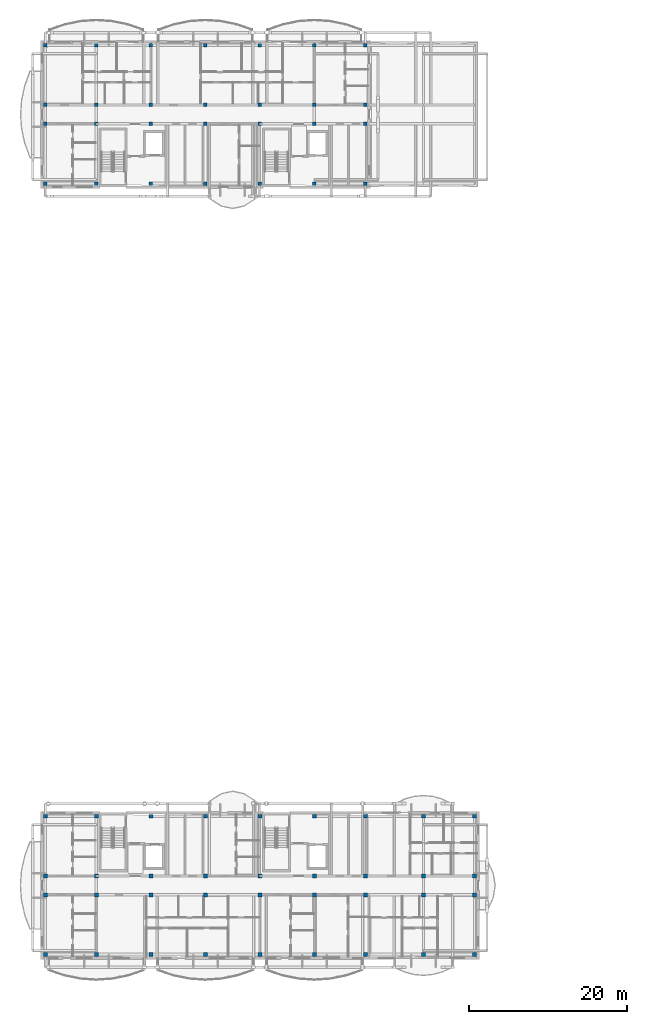
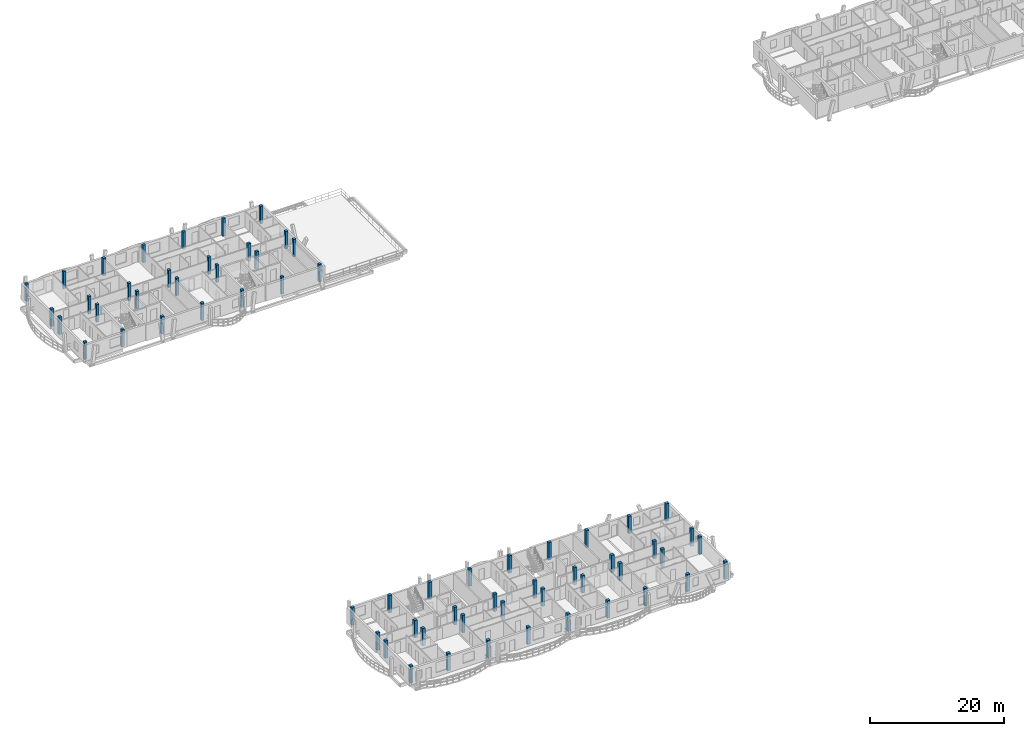
# One storey, part 1 of 42: 64 columns.
"""IFC4 building model written with IfcOpenShell, lengths in metres."""

import ifcopenshell
import ifcopenshell.guid

model = None  # the IFC model being written
_history = None  # IfcOwnerHistory: only IFC2X3 demands one
_inside = {}  # id of a spatial element -> (the spatial element, [elements in it])
_under = {}  # id of a project, library or spatial element -> (it, [spatial elements below it])
_declared = {}  # id of a project -> (the project, [libraries it declares])
_typed = {}  # id of a type object -> (the type object, [elements of that type])
_made_of = {}  # id of a material, layer set ... -> (it, [elements and type objects made of it])


def new_model(schema):
    """Start an empty IFC model of exactly this schema.

    Asked for "IFC4X3", IfcOpenShell would pick the latest addendum, in which some entities
    have other attributes; the version numbers below select the first issue.
    IFC2X3 requires an IfcOwnerHistory on every rooted entity: one is made here for all.
    """
    global model, _history
    if schema == "IFC4X3":
        model = ifcopenshell.file(schema_version=(4, 3, 0, 0))
    else:
        model = ifcopenshell.file(schema=schema)
    _inside.clear()
    _under.clear()
    _declared.clear()
    _typed.clear()
    _made_of.clear()
    _history = None
    if model.schema == "IFC2X3":
        org = make("IfcOrganization", Name="unknown")
        user = make(
            "IfcPersonAndOrganization",
            ThePerson=make("IfcPerson", FamilyName="unknown"),
            TheOrganization=org,
        )
        app = make(
            "IfcApplication",
            ApplicationDeveloper=org,
            Version="unknown",
            ApplicationFullName="unknown",
            ApplicationIdentifier="unknown",
        )
        _history = make(
            "IfcOwnerHistory",
            OwningUser=user,
            OwningApplication=app,
            ChangeAction="ADDED",
            CreationDate=0,
        )
    return model


def make(cls, **values):
    """One entity of the class cls with the attributes given. An attribute that is None is left unset."""
    return model.create_entity(
        cls, **{name: value for name, value in values.items() if value is not None}
    )


def rooted(cls, **values):
    """An entity with a GlobalId (a new one), such as an element, a storey or a relation."""
    return make(cls, GlobalId=ifcopenshell.guid.new(), OwnerHistory=_history, **values)


def si_unit(unit_type, name, prefix=None):
    """IfcSIUnit, for example si_unit("LENGTHUNIT", "METRE", prefix="MILLI")."""
    return make("IfcSIUnit", UnitType=unit_type, Prefix=prefix, Name=name)


def assignment(units):
    """IfcUnitAssignment: the units of a project."""
    return None if units is None else make("IfcUnitAssignment", Units=units)


def point(xyz):
    """IfcCartesianPoint."""
    return None if xyz is None else make("IfcCartesianPoint", Coordinates=xyz)


def direction(xyz):
    """IfcDirection."""
    return None if xyz is None else make("IfcDirection", DirectionRatios=xyz)


def frame(location, z_axis=None, x_axis=None):
    """IfcAxis2Placement3D, a coordinate frame: its origin and axes. An axis left out is left unset."""
    return make(
        "IfcAxis2Placement3D",
        Location=point(location),
        Axis=direction(z_axis),
        RefDirection=direction(x_axis),
    )


def frame_2d(location, x_axis=None):
    """IfcAxis2Placement2D, a coordinate frame in the plane: its origin and x axis."""
    return make(
        "IfcAxis2Placement2D", Location=point(location), RefDirection=direction(x_axis)
    )


def origin():
    """The frame at (0, 0, 0) with its axes left unset."""
    return frame((0.0, 0.0, 0.0))


def origin_2d():
    """The frame at (0, 0) in the plane with its x axis left unset."""
    return frame_2d((0.0, 0.0))


def place(relative_to, where):
    """IfcLocalPlacement: puts the frame where relative to a parent placement (None: the world)."""
    return make(
        "IfcLocalPlacement", PlacementRelTo=relative_to, RelativePlacement=where
    )


def context(
    kind, dimensions, precision=None, world=None, true_north=None, identifier=None
):
    """IfcGeometricRepresentationContext, for example the 3D "Model" context."""
    return make(
        "IfcGeometricRepresentationContext",
        ContextIdentifier=identifier,
        ContextType=kind,
        CoordinateSpaceDimension=dimensions,
        Precision=precision,
        WorldCoordinateSystem=world,
        TrueNorth=true_north,
    )


def subcontext(parent, identifier, kind, view, scale=None):
    """IfcGeometricRepresentationSubContext, for example "Body" below "Model"."""
    return make(
        "IfcGeometricRepresentationSubContext",
        ContextIdentifier=identifier,
        ContextType=kind,
        ParentContext=parent,
        TargetScale=scale,
        TargetView=view,
    )


def project(units=None, contexts=None):
    """IfcProject with its units and contexts."""
    return rooted(
        "IfcProject",
        Name="project",
        RepresentationContexts=contexts,
        UnitsInContext=assignment(units),
    )


def spatial(cls, under=None, at=None, **own):
    """A site, building, storey or space (cls), placed at a placement, below another one or the project."""
    s = rooted(cls, ObjectPlacement=at, **own)
    if under is not None:
        _under.setdefault(under.id(), (under, []))[1].append(s)
    return s


def profile(cls, at=None, kind="AREA", **sizes):
    """A parametric profile (cls). Its sizes go by their IFC names, for example OverallWidth=200.0."""
    return make(cls, ProfileType=kind, Position=at, **sizes)


def rectangle(**sizes):
    """IfcRectangleProfileDef."""
    return profile("IfcRectangleProfileDef", **sizes)


def extrude(swept, where, along, depth):
    """IfcExtrudedAreaSolid: the profile swept, set in the frame where, extruded along a direction by depth."""
    return make(
        "IfcExtrudedAreaSolid",
        SweptArea=swept,
        Position=where,
        ExtrudedDirection=direction(along),
        Depth=depth,
    )


def shape(context_of_items, identifier, shape_type, items):
    """IfcShapeRepresentation: the items that make up one representation, for example the "Body"."""
    return make(
        "IfcShapeRepresentation",
        ContextOfItems=context_of_items,
        RepresentationIdentifier=identifier,
        RepresentationType=shape_type,
        Items=items,
    )


def material(Name=None, Category=None):
    """IfcMaterial."""
    return make("IfcMaterial", Name=Name, Category=Category)


def material_profile(
    of_material, cross_section, Name=None, Category=None, Priority=None
):
    """IfcMaterialProfile: a cross section and its material."""
    return make(
        "IfcMaterialProfile",
        Name=Name,
        Material=of_material,
        Profile=cross_section,
        Priority=Priority,
        Category=Category,
    )


def profile_set(profiles, Name=None, composite=None):
    """IfcMaterialProfileSet."""
    return make(
        "IfcMaterialProfileSet",
        Name=Name,
        MaterialProfiles=profiles,
        CompositeProfile=composite,
    )


def made_of(thing, what):
    """Note that an element or type object is made of a material, layer set ...; save() writes the relation."""
    if what is not None:
        _made_of.setdefault(what.id(), (what, []))[1].append(thing)
    return thing


def type_object(cls, material=None, **own):
    """A type object (cls), such as IfcWallType, which elements share."""
    return made_of(rooted(cls, **own), material)


def element(
    cls,
    number,
    at=None,
    inside=None,
    cuts=None,
    type_object=None,
    material=None,
    context=None,
    identifier="Body",
    shape_type=None,
    held_by="IfcProductDefinitionShape",
    body=None,
    shapes=None,
    **own,
):
    """One element of the class cls, such as IfcWall. Its Tag is "e" and its number.

    at: its placement. inside: the storey or other place that contains it. cuts: it is an
    opening in that element (IfcRelVoidsElement). A single representation is given by context,
    identifier, shape_type and body (its items); several are given by shapes. held_by: the class
    of the entity that holds the representations. save() writes the other relations.
    """
    e = rooted(cls, Tag="e%d" % number, ObjectPlacement=at, **own)
    if body is not None:
        shapes = [shape(context, identifier, shape_type, body)]
    if shapes is not None:
        e.Representation = make(held_by, Representations=shapes)
    if inside is not None:
        _inside.setdefault(inside.id(), (inside, []))[1].append(e)
    if cuts is not None:
        rooted(
            "IfcRelVoidsElement", RelatingBuildingElement=cuts, RelatedOpeningElement=e
        )
    if type_object is not None:
        _typed.setdefault(type_object.id(), (type_object, []))[1].append(e)
    return made_of(e, material)


def aggregate(whole, parts):
    """IfcRelAggregates: a whole, such as a stair, and the parts it consists of."""
    return rooted("IfcRelAggregates", RelatingObject=whole, RelatedObjects=parts)


def save(model, path):
    """Write the relations noted so far, then the file.

    IfcRelAggregates (storeys below a building ...), IfcRelContainedInSpatialStructure (elements
    in a storey), IfcRelDefinesByType, IfcRelAssociatesMaterial and IfcRelDeclares: one each for
    every whole, place, type object, material and project.
    """
    for whole, parts in _under.values():
        aggregate(whole, parts)
    for where, things in _inside.values():
        rooted(
            "IfcRelContainedInSpatialStructure",
            RelatedElements=things,
            RelatingStructure=where,
        )
    for kind, things in _typed.values():
        rooted("IfcRelDefinesByType", RelatedObjects=things, RelatingType=kind)
    for what, things in _made_of.values():
        rooted("IfcRelAssociatesMaterial", RelatedObjects=things, RelatingMaterial=what)
    for by, libraries in _declared.values():
        rooted("IfcRelDeclares", RelatingContext=by, RelatedDefinitions=libraries)
    model.write(path)


model = new_model("IFC4")

# Units and contexts
model_context = context("Model", 3, precision=1e-05, world=origin(), true_north=direction((0.0, 1.0)))
body_context = subcontext(model_context, "Body", "Model", "MODEL_VIEW")
ifc_project = project(units=[si_unit("LENGTHUNIT", "METRE"), si_unit("AREAUNIT", "SQUARE_METRE"), si_unit("VOLUMEUNIT", "CUBIC_METRE"), si_unit("PLANEANGLEUNIT", "RADIAN"), si_unit("MASSUNIT", "GRAM", prefix="KILO")], contexts=[model_context])

# Site, building, storey
site_placement = place(None, origin())
site = spatial("IfcSite", under=ifc_project, at=site_placement, CompositionType="ELEMENT")
building_placement = place(site_placement, origin())
building = spatial("IfcBuilding", under=site, at=building_placement, Name="Zavelmont Quarter", CompositionType="ELEMENT")
storey_placement = place(building_placement, frame((0.0, 0.0, 24.0)))
storey = spatial("IfcBuildingStorey", under=building, at=storey_placement, Name="L07", CompositionType="ELEMENT", Elevation=24.0)

# Columns
ifc_material_1 = material(Name="Concrete C40/50", Category="concrete")
ifc_material_profile_1 = material_profile(ifc_material_1, rectangle(XDim=0.5, YDim=0.5, at=origin_2d()), Name="RC500X500")
ifc_profile_set_1 = profile_set([ifc_material_profile_1], Name="Concrete C40/50")
column_type_1 = type_object("IfcColumnType", Name="CL03", PredefinedType="COLUMN", material=ifc_profile_set_1)
for number, where, z_axis, x_axis, name in (
    (1, (0.43994140625, 0.43994140625, 0.0), (0.0, 0.0, 1.0), (1.0, 0.0, 0.0), "L07 column CL03 at 1/A"),
    (2, (0.43994140625, 8.0, 0.0), (0.0, 0.0, 1.0), (1.0, 0.0, 0.0), "L07 column CL03 at 1/B"),
    (3, (0.43994140625, 10.39990234375, 0.0), (0.0, 0.0, 1.0), (1.0, 0.0, 0.0), "L07 column CL03 at 1/C"),
    (4, (0.43994140625, 17.9599609375, 0.0), (0.0, 0.0, 1.0), (1.0, 0.0, 0.0), "L07 column CL03 at 1/D"),
    (5, (6.89990234375, 0.43994140625, 0.0), (0.0, 0.0, 1.0), (1.0, 0.0, 0.0), "L07 column CL03 at 2/A"),
    (6, (6.89990234375, 8.0, 0.0), (0.0, 0.0, 1.0), (1.0, 0.0, 0.0), "L07 column CL03 at 2/B"),
    (7, (6.89990234375, 10.39990234375, 0.0), (0.0, 0.0, 1.0), (1.0, 0.0, 0.0), "L07 column CL03 at 2/C"),
    (8, (6.89990234375, 17.9599609375, 0.0), (0.0, 0.0, 1.0), (1.0, 0.0, 0.0), "L07 column CL03 at 2/D"),
    (9, (13.800048828125, 0.43994140625, 0.0), (0.0, 0.0, 1.0), (1.0, 0.0, 0.0), "L07 column CL03 at 3/A"),
    (10, (13.800048828125, 8.0, 0.0), (0.0, 0.0, 1.0), (1.0, 0.0, 0.0), "L07 column CL03 at 3/B"),
    (11, (13.800048828125, 10.39990234375, 0.0), (0.0, 0.0, 1.0), (1.0, 0.0, 0.0), "L07 column CL03 at 3/C"),
    (12, (13.800048828125, 17.9599609375, 0.0), (0.0, 0.0, 1.0), (1.0, 0.0, 0.0), "L07 column CL03 at 3/D"),
    (13, (20.699951171875, 0.43994140625, 0.0), (0.0, 0.0, 1.0), (1.0, 0.0, 0.0), "L07 column CL03 at 4/A"),
    (14, (20.699951171875, 8.0, 0.0), (0.0, 0.0, 1.0), (1.0, 0.0, 0.0), "L07 column CL03 at 4/B"),
    (15, (20.699951171875, 10.39990234375, 0.0), (0.0, 0.0, 1.0), (1.0, 0.0, 0.0), "L07 column CL03 at 4/C"),
    (16, (20.699951171875, 17.9599609375, 0.0), (0.0, 0.0, 1.0), (1.0, 0.0, 0.0), "L07 column CL03 at 4/D"),
    (17, (27.60009765625, 0.43994140625, 0.0), (0.0, 0.0, 1.0), (1.0, 0.0, 0.0), "L07 column CL03 at 5/A"),
    (18, (27.60009765625, 8.0, 0.0), (0.0, 0.0, 1.0), (1.0, 0.0, 0.0), "L07 column CL03 at 5/B"),
    (19, (27.60009765625, 10.39990234375, 0.0), (0.0, 0.0, 1.0), (1.0, 0.0, 0.0), "L07 column CL03 at 5/C"),
    (20, (27.60009765625, 17.9599609375, 0.0), (0.0, 0.0, 1.0), (1.0, 0.0, 0.0), "L07 column CL03 at 5/D"),
    (21, (34.5, 0.43994140625, 0.0), (0.0, 0.0, 1.0), (1.0, 0.0, 0.0), "L07 column CL03 at 6/A"),
    (22, (34.5, 8.0, 0.0), (0.0, 0.0, 1.0), (1.0, 0.0, 0.0), "L07 column CL03 at 6/B"),
    (23, (34.5, 10.39990234375, 0.0), (0.0, 0.0, 1.0), (1.0, 0.0, 0.0), "L07 column CL03 at 6/C"),
    (24, (34.5, 17.9599609375, 0.0), (0.0, 0.0, 1.0), (1.0, 0.0, 0.0), "L07 column CL03 at 6/D"),
    (25, (40.9599609375, 0.43994140625, 0.0), (0.0, 0.0, 1.0), (1.0, 0.0, 0.0), "L07 column CL03 at 7/A"),
    (26, (40.9599609375, 8.0, 0.0), (0.0, 0.0, 1.0), (1.0, 0.0, 0.0), "L07 column CL03 at 7/B"),
    (27, (40.9599609375, 10.39990234375, 0.0), (0.0, 0.0, 1.0), (1.0, 0.0, 0.0), "L07 column CL03 at 7/C"),
    (28, (40.9599609375, 17.9599609375, 0.0), (0.0, 0.0, 1.0), (1.0, 0.0, 0.0), "L07 column CL03 at 7/D"),
    (29, (48.300048828125, 0.43994140625, 0.0), (0.0, 0.0, 1.0), (1.0, 0.0, 0.0), "L07 column CL03 at 8/A"),
    (30, (48.300048828125, 8.0, 0.0), (0.0, 0.0, 1.0), (1.0, 0.0, 0.0), "L07 column CL03 at 8/B"),
    (31, (48.300048828125, 10.39990234375, 0.0), (0.0, 0.0, 1.0), (1.0, 0.0, 0.0), "L07 column CL03 at 8/C"),
    (32, (48.300048828125, 17.9599609375, 0.0), (0.0, 0.0, 1.0), (1.0, 0.0, 0.0), "L07 column CL03 at 8/D"),
    (33, (54.760009765625, 0.43994140625, 0.0), (0.0, 0.0, 1.0), (1.0, 0.0, 0.0), "L07 column CL03 at 9/A"),
    (34, (54.760009765625, 8.0, 0.0), (0.0, 0.0, 1.0), (1.0, 0.0, 0.0), "L07 column CL03 at 9/B"),
    (35, (54.760009765625, 10.39990234375, 0.0), (0.0, 0.0, 1.0), (1.0, 0.0, 0.0), "L07 column CL03 at 9/C"),
    (36, (54.760009765625, 17.9599609375, 0.0), (0.0, 0.0, 1.0), (1.0, 0.0, 0.0), "L07 column CL03 at 9/D"),
):
    element("IfcColumn", number, at=place(storey_placement, frame(where, z_axis=z_axis, x_axis=x_axis)), inside=storey, type_object=column_type_1, Name=name, PredefinedType="COLUMN", context=body_context, shape_type="SweptSolid", body=[
        extrude(rectangle(XDim=0.5, YDim=0.5, at=origin_2d()), origin(), (0.0, 0.0, 1.0), 3.199951171875),
    ])
ifc_material_2 = material(Name="Concrete C35/45", Category="concrete")
ifc_material_profile_2 = material_profile(ifc_material_2, rectangle(XDim=0.449951171875, YDim=0.449951171875, at=origin_2d()), Name="RC450X450")
ifc_profile_set_2 = profile_set([ifc_material_profile_2], Name="Concrete C35/45")
column_type_2 = type_object("IfcColumnType", Name="CL04", PredefinedType="COLUMN", material=ifc_profile_set_2)
for number, where, z_axis, x_axis, name in (
    (37, (0.43994140625, 98.0400390625, 0.0), (0.0, 0.0, 1.0), (1.0, 0.0, 0.0), "L07 column CL04 at 1/P"),
    (38, (0.43994140625, 105.60009765625, 0.0), (0.0, 0.0, 1.0), (1.0, 0.0, 0.0), "L07 column CL04 at 1/Q"),
    (39, (0.43994140625, 108.0, 0.0), (0.0, 0.0, 1.0), (1.0, 0.0, 0.0), "L07 column CL04 at 1/R"),
    (40, (0.43994140625, 115.56005859375, 0.0), (0.0, 0.0, 1.0), (1.0, 0.0, 0.0), "L07 column CL04 at 1/S"),
    (41, (6.89990234375, 98.0400390625, 0.0), (0.0, 0.0, 1.0), (1.0, 0.0, 0.0), "L07 column CL04 at 2/P"),
    (42, (6.89990234375, 105.60009765625, 0.0), (0.0, 0.0, 1.0), (1.0, 0.0, 0.0), "L07 column CL04 at 2/Q"),
    (43, (6.89990234375, 108.0, 0.0), (0.0, 0.0, 1.0), (1.0, 0.0, 0.0), "L07 column CL04 at 2/R"),
    (44, (6.89990234375, 115.56005859375, 0.0), (0.0, 0.0, 1.0), (1.0, 0.0, 0.0), "L07 column CL04 at 2/S"),
    (45, (13.800048828125, 98.0400390625, 0.0), (0.0, 0.0, 1.0), (1.0, 0.0, 0.0), "L07 column CL04 at 3/P"),
    (46, (13.800048828125, 105.60009765625, 0.0), (0.0, 0.0, 1.0), (1.0, 0.0, 0.0), "L07 column CL04 at 3/Q"),
    (47, (13.800048828125, 108.0, 0.0), (0.0, 0.0, 1.0), (1.0, 0.0, 0.0), "L07 column CL04 at 3/R"),
    (48, (13.800048828125, 115.56005859375, 0.0), (0.0, 0.0, 1.0), (1.0, 0.0, 0.0), "L07 column CL04 at 3/S"),
    (49, (20.699951171875, 98.0400390625, 0.0), (0.0, 0.0, 1.0), (1.0, 0.0, 0.0), "L07 column CL04 at 4/P"),
    (50, (20.699951171875, 105.60009765625, 0.0), (0.0, 0.0, 1.0), (1.0, 0.0, 0.0), "L07 column CL04 at 4/Q"),
    (51, (20.699951171875, 108.0, 0.0), (0.0, 0.0, 1.0), (1.0, 0.0, 0.0), "L07 column CL04 at 4/R"),
    (52, (20.699951171875, 115.56005859375, 0.0), (0.0, 0.0, 1.0), (1.0, 0.0, 0.0), "L07 column CL04 at 4/S"),
    (53, (27.60009765625, 98.0400390625, 0.0), (0.0, 0.0, 1.0), (1.0, 0.0, 0.0), "L07 column CL04 at 5/P"),
    (54, (27.60009765625, 105.60009765625, 0.0), (0.0, 0.0, 1.0), (1.0, 0.0, 0.0), "L07 column CL04 at 5/Q"),
    (55, (27.60009765625, 108.0, 0.0), (0.0, 0.0, 1.0), (1.0, 0.0, 0.0), "L07 column CL04 at 5/R"),
    (56, (27.60009765625, 115.56005859375, 0.0), (0.0, 0.0, 1.0), (1.0, 0.0, 0.0), "L07 column CL04 at 5/S"),
    (57, (34.5, 98.0400390625, 0.0), (0.0, 0.0, 1.0), (1.0, 0.0, 0.0), "L07 column CL04 at 6/P"),
    (58, (34.5, 105.60009765625, 0.0), (0.0, 0.0, 1.0), (1.0, 0.0, 0.0), "L07 column CL04 at 6/Q"),
    (59, (34.5, 108.0, 0.0), (0.0, 0.0, 1.0), (1.0, 0.0, 0.0), "L07 column CL04 at 6/R"),
    (60, (34.5, 115.56005859375, 0.0), (0.0, 0.0, 1.0), (1.0, 0.0, 0.0), "L07 column CL04 at 6/S"),
    (61, (40.9599609375, 98.0400390625, 0.0), (0.0, 0.0, 1.0), (1.0, 0.0, 0.0), "L07 column CL04 at 7/P"),
    (62, (40.9599609375, 105.60009765625, 0.0), (0.0, 0.0, 1.0), (1.0, 0.0, 0.0), "L07 column CL04 at 7/Q"),
    (63, (40.9599609375, 108.0, 0.0), (0.0, 0.0, 1.0), (1.0, 0.0, 0.0), "L07 column CL04 at 7/R"),
    (64, (40.9599609375, 115.56005859375, 0.0), (0.0, 0.0, 1.0), (1.0, 0.0, 0.0), "L07 column CL04 at 7/S"),
):
    element("IfcColumn", number, at=place(storey_placement, frame(where, z_axis=z_axis, x_axis=x_axis)), inside=storey, type_object=column_type_2, Name=name, PredefinedType="COLUMN", context=body_context, shape_type="SweptSolid", body=[
        extrude(rectangle(XDim=0.449951171875, YDim=0.449951171875, at=origin_2d()), origin(), (0.0, 0.0, 1.0), 3.199951171875),
    ])

save(model, "model.ifc")
